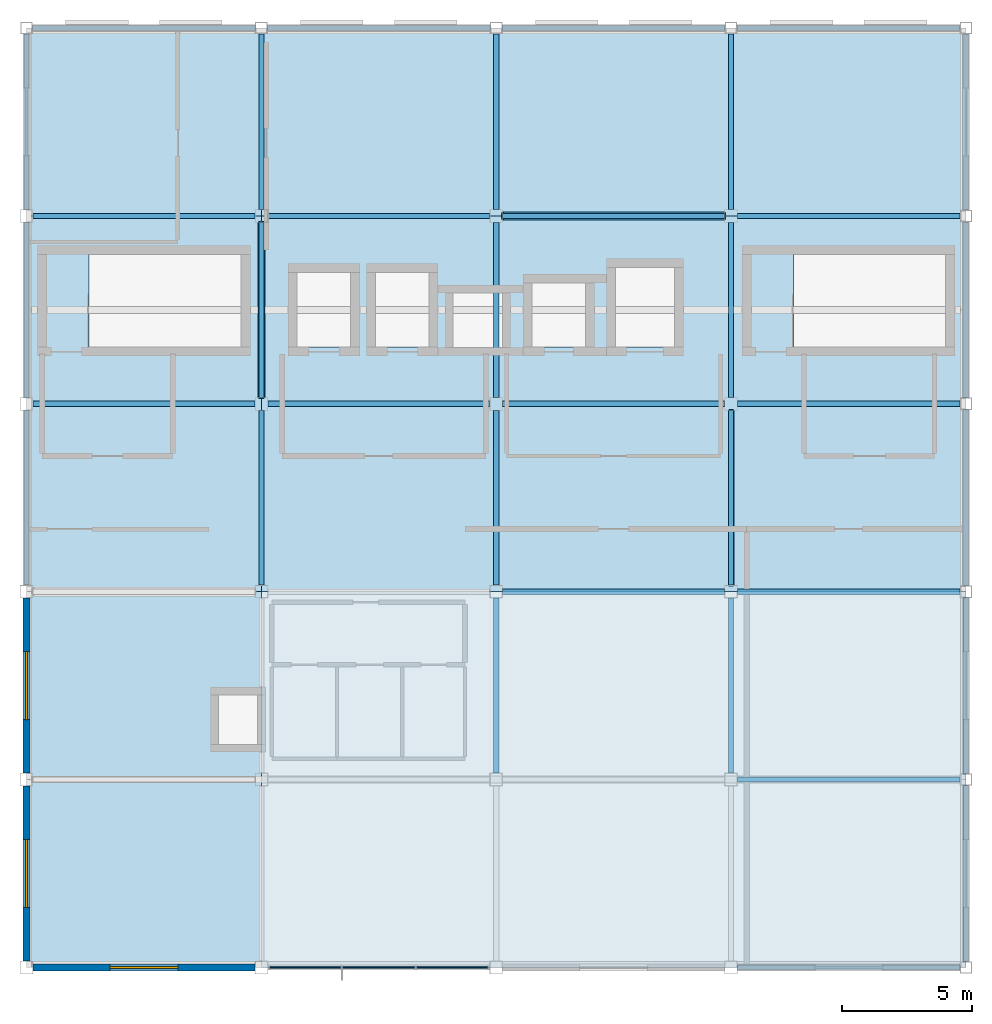
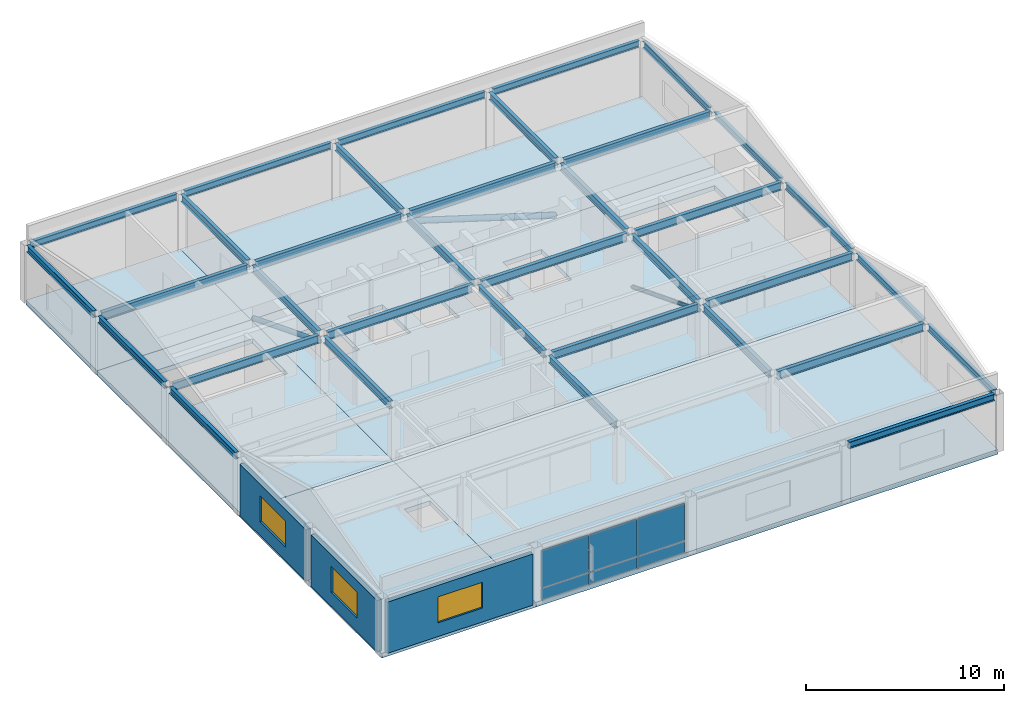
# One storey, part 5 of 9: 35 beams, 6 plates, 6 slabs, 3 members, 3 walls, 3 windows, 3 openings, 1 element without a shape of its own.
"""IFC4 building model written with IfcOpenShell, lengths in metres."""

from ifc_helpers import new_model, si_unit, direction, frame, frame_2d, origin, origin_2d, place, context, subcontext, project, spatial, polyline, rectangle, hollow_circle, i_section, outline, extrude, material, layer, layer_set, material_profile, profile_set, type_object, element, fill, aggregate, save


model = new_model("IFC4")

# Units and contexts
model_context = context("Model", 3, precision=1e-05, world=origin(), true_north=direction((0.0, 1.0)))
body_context = subcontext(model_context, "Body", "Model", "MODEL_VIEW")
ifc_project = project(units=[si_unit("LENGTHUNIT", "METRE"), si_unit("AREAUNIT", "SQUARE_METRE"), si_unit("VOLUMEUNIT", "CUBIC_METRE"), si_unit("PLANEANGLEUNIT", "RADIAN"), si_unit("MASSUNIT", "GRAM", prefix="KILO")], contexts=[model_context])

# Site, building, storey
site_placement = place(None, origin())
site = spatial("IfcSite", under=ifc_project, at=site_placement, CompositionType="ELEMENT")
building_placement = place(site_placement, origin())
building = spatial("IfcBuilding", under=site, at=building_placement, Name="Kazanami Central Library", CompositionType="ELEMENT")
storey_placement = place(building_placement, frame((0.0, 0.0, 31.39990234375)))
storey = spatial("IfcBuildingStorey", under=building, at=storey_placement, Name="L09", CompositionType="ELEMENT", Elevation=31.39990234375)

# Beams
ifc_material_1 = material(Name="Steel SN490B (325 MPa)", Category="steel")
ifc_material_profile_1 = material_profile(ifc_material_1, i_section(OverallWidth=0.199951171875, OverallDepth=0.5, WebThickness=0.010009765625, FlangeThickness=0.01611328125, at=origin_2d()), Name="H-500x200x10x16")
ifc_profile_set_1 = profile_set([ifc_material_profile_1], Name="Steel SN490B (325 MPa)")
beam_type_1 = type_object("IfcBeamType", Name="BM-G-X4", PredefinedType="BEAM", material=ifc_profile_set_1)
beam_1_placement = place(storey_placement, frame((153.248046875, 64.800048828125, 3.31005859375), z_axis=(1.0, 0.0, 0.0), x_axis=(0.0, 1.0, 0.0)))
element("IfcBeam", 1, at=beam_1_placement, inside=storey, type_object=beam_type_1, Name="Girder G-X4 L09 K/18-19", PredefinedType="BEAM", context=body_context, shape_type="SweptSolid", body=[
    extrude(i_section(OverallWidth=0.199951171875, OverallDepth=0.5, WebThickness=0.010009765625, FlangeThickness=0.01611328125, at=origin_2d()), origin(), (0.0, 0.0, 1.0), 8.529052734375),
])
beam_2_placement = place(storey_placement, frame((144.248046875, 72.0, 3.31005859375), z_axis=(1.0, 0.0, 0.0), x_axis=(0.0, 1.0, 0.0)))
element("IfcBeam", 2, at=beam_2_placement, inside=storey, type_object=beam_type_1, Name="Girder G-X4 L09 L/17-18", PredefinedType="BEAM", context=body_context, shape_type="SweptSolid", body=[
    extrude(i_section(OverallWidth=0.199951171875, OverallDepth=0.5, WebThickness=0.010009765625, FlangeThickness=0.01611328125, at=origin_2d()), origin(), (0.0, 0.0, 1.0), 8.50390625),
])
beam_3_placement = place(storey_placement, frame((153.248046875, 72.0, 3.31005859375), z_axis=(1.0, 0.0, 0.0), x_axis=(0.0, 1.0, 0.0)))
element("IfcBeam", 3, at=beam_3_placement, inside=storey, type_object=beam_type_1, Name="Girder G-X4 L09 L/18-19", PredefinedType="BEAM", context=body_context, shape_type="SweptSolid", body=[
    extrude(i_section(OverallWidth=0.199951171875, OverallDepth=0.5, WebThickness=0.010009765625, FlangeThickness=0.01611328125, at=origin_2d()), origin(), (0.0, 0.0, 1.0), 8.529052734375),
])
for number, where, z_axis, x_axis, name in (
    (4, (126.248046875, 79.199951171875, 3.31005859375), (1.0, 0.0, 0.0), (0.0, 1.0, 0.0), "Girder G-X4 L09 M/15-16"),
    (5, (135.248046875, 79.199951171875, 3.31005859375), (1.0, 0.0, 0.0), (0.0, 1.0, 0.0), "Girder G-X4 L09 M/16-17"),
    (6, (144.248046875, 79.199951171875, 3.31005859375), (1.0, 0.0, 0.0), (0.0, 1.0, 0.0), "Girder G-X4 L09 M/17-18"),
):
    element("IfcBeam", number, at=place(storey_placement, frame(where, z_axis=z_axis, x_axis=x_axis)), inside=storey, type_object=beam_type_1, Name=name, PredefinedType="BEAM", context=body_context, shape_type="SweptSolid", body=[
        extrude(i_section(OverallWidth=0.199951171875, OverallDepth=0.5, WebThickness=0.010009765625, FlangeThickness=0.01611328125, at=origin_2d()), origin(), (0.0, 0.0, 1.0), 8.50390625),
    ])
beam_4_placement = place(storey_placement, frame((153.248046875, 79.199951171875, 3.31005859375), z_axis=(1.0, 0.0, 0.0), x_axis=(0.0, 1.0, 0.0)))
element("IfcBeam", 7, at=beam_4_placement, inside=storey, type_object=beam_type_1, Name="Girder G-X4 L09 M/18-19", PredefinedType="BEAM", context=body_context, shape_type="SweptSolid", body=[
    extrude(i_section(OverallWidth=0.199951171875, OverallDepth=0.5, WebThickness=0.010009765625, FlangeThickness=0.01611328125, at=origin_2d()), origin(), (0.0, 0.0, 1.0), 8.529052734375),
])
for number, where, z_axis, x_axis, name in (
    (8, (126.248046875, 86.39990234375, 3.31005859375), (1.0, 0.0, 0.0), (0.0, 1.0, 0.0), "Girder G-X4 L09 N/15-16"),
    (9, (135.248046875, 86.39990234375, 3.31005859375), (1.0, 0.0, 0.0), (0.0, 1.0, 0.0), "Girder G-X4 L09 N/16-17"),
    (10, (144.248046875, 86.39990234375, 3.31005859375), (1.0, 0.0, 0.0), (0.0, 1.0, 0.0), "Girder G-X4 L09 N/17-18"),
):
    element("IfcBeam", number, at=place(storey_placement, frame(where, z_axis=z_axis, x_axis=x_axis)), inside=storey, type_object=beam_type_1, Name=name, PredefinedType="BEAM", context=body_context, shape_type="SweptSolid", body=[
        extrude(i_section(OverallWidth=0.199951171875, OverallDepth=0.5, WebThickness=0.010009765625, FlangeThickness=0.01611328125, at=origin_2d()), origin(), (0.0, 0.0, 1.0), 8.50390625),
    ])
beam_5_placement = place(storey_placement, frame((153.248046875, 86.39990234375, 3.31005859375), z_axis=(1.0, 0.0, 0.0), x_axis=(0.0, 1.0, 0.0)))
element("IfcBeam", 11, at=beam_5_placement, inside=storey, type_object=beam_type_1, Name="Girder G-X4 L09 N/18-19", PredefinedType="BEAM", context=body_context, shape_type="SweptSolid", body=[
    extrude(i_section(OverallWidth=0.199951171875, OverallDepth=0.5, WebThickness=0.010009765625, FlangeThickness=0.01611328125, at=origin_2d()), origin(), (0.0, 0.0, 1.0), 8.529052734375),
])
ifc_material_profile_2 = material_profile(ifc_material_1, i_section(OverallWidth=0.199951171875, OverallDepth=0.449951171875, WebThickness=0.009033203125, FlangeThickness=0.013916015625, at=origin_2d()), Name="H-450x200x9x14")
ifc_profile_set_2 = profile_set([ifc_material_profile_2], Name="Steel SN490B (325 MPa)")
beam_type_2 = type_object("IfcBeamType", Name="BM-G-Y3", PredefinedType="BEAM", material=ifc_profile_set_2)
beam_6_placement = place(storey_placement, frame((135.0, 72.248046875, 3.335205078125), z_axis=(0.0, 1.0, 0.0), x_axis=(-1.0, 0.0, 0.0)))
element("IfcBeam", 12, at=beam_6_placement, inside=storey, type_object=beam_type_2, Name="Girder G-Y3 L09 16/L-M", PredefinedType="BEAM", context=body_context, shape_type="SweptSolid", body=[
    extrude(i_section(OverallWidth=0.199951171875, OverallDepth=0.449951171875, WebThickness=0.009033203125, FlangeThickness=0.013916015625, at=origin_2d()), origin(), (0.0, 0.0, 1.0), 6.703857421875),
])
beam_7_placement = place(storey_placement, frame((135.0, 79.447998046875, 3.335205078125), z_axis=(0.0, 1.0, 0.0), x_axis=(-1.0, 0.0, 0.0)))
element("IfcBeam", 13, at=beam_7_placement, inside=storey, type_object=beam_type_2, Name="Girder G-Y3 L09 16/M-N", PredefinedType="BEAM", context=body_context, shape_type="SweptSolid", body=[
    extrude(i_section(OverallWidth=0.199951171875, OverallDepth=0.449951171875, WebThickness=0.009033203125, FlangeThickness=0.013916015625, at=origin_2d()), origin(), (0.0, 0.0, 1.0), 6.7041015625),
])
beam_8_placement = place(storey_placement, frame((135.0, 86.64794921875, 3.335205078125), z_axis=(0.0, 1.0, 0.0), x_axis=(-1.0, 0.0, 0.0)))
element("IfcBeam", 14, at=beam_8_placement, inside=storey, type_object=beam_type_2, Name="Girder G-Y3 L09 16/N-O", PredefinedType="BEAM", context=body_context, shape_type="SweptSolid", body=[
    extrude(i_section(OverallWidth=0.199951171875, OverallDepth=0.449951171875, WebThickness=0.009033203125, FlangeThickness=0.013916015625, at=origin_2d()), origin(), (0.0, 0.0, 1.0), 6.72900390625),
])
for number, where, z_axis, x_axis, name in (
    (15, (144.0, 65.048095703125, 3.335205078125), (0.0, 1.0, 0.0), (-1.0, 0.0, 0.0), "Girder G-Y3 L09 17/K-L"),
    (16, (144.0, 72.248046875, 3.335205078125), (0.0, 1.0, 0.0), (-1.0, 0.0, 0.0), "Girder G-Y3 L09 17/L-M"),
):
    element("IfcBeam", number, at=place(storey_placement, frame(where, z_axis=z_axis, x_axis=x_axis)), inside=storey, type_object=beam_type_2, Name=name, PredefinedType="BEAM", context=body_context, shape_type="SweptSolid", body=[
        extrude(i_section(OverallWidth=0.199951171875, OverallDepth=0.449951171875, WebThickness=0.009033203125, FlangeThickness=0.013916015625, at=origin_2d()), origin(), (0.0, 0.0, 1.0), 6.703857421875),
    ])
beam_9_placement = place(storey_placement, frame((144.0, 79.447998046875, 3.335205078125), z_axis=(0.0, 1.0, 0.0), x_axis=(-1.0, 0.0, 0.0)))
element("IfcBeam", 17, at=beam_9_placement, inside=storey, type_object=beam_type_2, Name="Girder G-Y3 L09 17/M-N", PredefinedType="BEAM", context=body_context, shape_type="SweptSolid", body=[
    extrude(i_section(OverallWidth=0.199951171875, OverallDepth=0.449951171875, WebThickness=0.009033203125, FlangeThickness=0.013916015625, at=origin_2d()), origin(), (0.0, 0.0, 1.0), 6.7041015625),
])
beam_10_placement = place(storey_placement, frame((144.0, 86.64794921875, 3.335205078125), z_axis=(0.0, 1.0, 0.0), x_axis=(-1.0, 0.0, 0.0)))
element("IfcBeam", 18, at=beam_10_placement, inside=storey, type_object=beam_type_2, Name="Girder G-Y3 L09 17/N-O", PredefinedType="BEAM", context=body_context, shape_type="SweptSolid", body=[
    extrude(i_section(OverallWidth=0.199951171875, OverallDepth=0.449951171875, WebThickness=0.009033203125, FlangeThickness=0.013916015625, at=origin_2d()), origin(), (0.0, 0.0, 1.0), 6.72900390625),
])
for number, where, z_axis, x_axis, name in (
    (19, (153.0, 65.048095703125, 3.335205078125), (0.0, 1.0, 0.0), (-1.0, 0.0, 0.0), "Girder G-Y3 L09 18/K-L"),
    (20, (153.0, 72.248046875, 3.335205078125), (0.0, 1.0, 0.0), (-1.0, 0.0, 0.0), "Girder G-Y3 L09 18/L-M"),
):
    element("IfcBeam", number, at=place(storey_placement, frame(where, z_axis=z_axis, x_axis=x_axis)), inside=storey, type_object=beam_type_2, Name=name, PredefinedType="BEAM", context=body_context, shape_type="SweptSolid", body=[
        extrude(i_section(OverallWidth=0.199951171875, OverallDepth=0.449951171875, WebThickness=0.009033203125, FlangeThickness=0.013916015625, at=origin_2d()), origin(), (0.0, 0.0, 1.0), 6.703857421875),
    ])
beam_11_placement = place(storey_placement, frame((153.0, 79.447998046875, 3.335205078125), z_axis=(0.0, 1.0, 0.0), x_axis=(-1.0, 0.0, 0.0)))
element("IfcBeam", 21, at=beam_11_placement, inside=storey, type_object=beam_type_2, Name="Girder G-Y3 L09 18/M-N", PredefinedType="BEAM", context=body_context, shape_type="SweptSolid", body=[
    extrude(i_section(OverallWidth=0.199951171875, OverallDepth=0.449951171875, WebThickness=0.009033203125, FlangeThickness=0.013916015625, at=origin_2d()), origin(), (0.0, 0.0, 1.0), 6.7041015625),
])
beam_12_placement = place(storey_placement, frame((153.0, 86.64794921875, 3.335205078125), z_axis=(0.0, 1.0, 0.0), x_axis=(-1.0, 0.0, 0.0)))
element("IfcBeam", 22, at=beam_12_placement, inside=storey, type_object=beam_type_2, Name="Girder G-Y3 L09 18/N-O", PredefinedType="BEAM", context=body_context, shape_type="SweptSolid", body=[
    extrude(i_section(OverallWidth=0.199951171875, OverallDepth=0.449951171875, WebThickness=0.009033203125, FlangeThickness=0.013916015625, at=origin_2d()), origin(), (0.0, 0.0, 1.0), 6.72900390625),
])
ifc_material_profile_3 = material_profile(ifc_material_1, i_section(OverallWidth=0.199951171875, OverallDepth=0.39990234375, WebThickness=0.008056640625, FlangeThickness=0.012939453125, at=origin_2d()), Name="H-400x200x8x13")
ifc_profile_set_3 = profile_set([ifc_material_profile_3], Name="Steel SN490B (325 MPa)")
beam_type_3 = type_object("IfcBeamType", Name="BM-SP-3", PredefinedType="SPANDREL", material=ifc_profile_set_3)
beam_13_placement = place(storey_placement, frame((153.248046875, 57.60009765625, 3.360107421875), z_axis=(1.0, 0.0, 0.0), x_axis=(0.0, 1.0, 0.0)))
element("IfcBeam", 23, at=beam_13_placement, inside=storey, type_object=beam_type_3, Name="Girder SP-3 L09 J/18-19", PredefinedType="SPANDREL", context=body_context, shape_type="SweptSolid", body=[
    extrude(i_section(OverallWidth=0.199951171875, OverallDepth=0.39990234375, WebThickness=0.008056640625, FlangeThickness=0.012939453125, at=origin_2d()), origin(), (0.0, 0.0, 1.0), 8.529052734375),
])
for number, where, z_axis, x_axis, name in (
    (24, (126.222900390625, 93.60009765625, 3.360107421875), (1.0, 0.0, 0.0), (0.0, 1.0, 0.0), "Girder SP-3 L09 O/15-16"),
    (25, (135.222900390625, 93.60009765625, 3.360107421875), (1.0, 0.0, 0.0), (0.0, 1.0, 0.0), "Girder SP-3 L09 O/16-17"),
    (26, (144.222900390625, 93.60009765625, 3.360107421875), (1.0, 0.0, 0.0), (0.0, 1.0, 0.0), "Girder SP-3 L09 O/17-18"),
    (27, (153.222900390625, 93.60009765625, 3.360107421875), (1.0, 0.0, 0.0), (0.0, 1.0, 0.0), "Girder SP-3 L09 O/18-19"),
):
    element("IfcBeam", number, at=place(storey_placement, frame(where, z_axis=z_axis, x_axis=x_axis)), inside=storey, type_object=beam_type_3, Name=name, PredefinedType="SPANDREL", context=body_context, shape_type="SweptSolid", body=[
        extrude(i_section(OverallWidth=0.199951171875, OverallDepth=0.39990234375, WebThickness=0.008056640625, FlangeThickness=0.012939453125, at=origin_2d()), origin(), (0.0, 0.0, 1.0), 8.55419921875),
    ])
beam_14_placement = place(storey_placement, frame((126.0, 72.248046875, 3.360107421875), z_axis=(0.0, 1.0, 0.0), x_axis=(-1.0, 0.0, 0.0)))
element("IfcBeam", 28, at=beam_14_placement, inside=storey, type_object=beam_type_3, Name="Girder SP-3 L09 15/L-M", PredefinedType="SPANDREL", context=body_context, shape_type="SweptSolid", body=[
    extrude(i_section(OverallWidth=0.199951171875, OverallDepth=0.39990234375, WebThickness=0.008056640625, FlangeThickness=0.012939453125, at=origin_2d()), origin(), (0.0, 0.0, 1.0), 6.703857421875),
])
beam_15_placement = place(storey_placement, frame((126.0, 79.447998046875, 3.360107421875), z_axis=(0.0, 1.0, 0.0), x_axis=(-1.0, 0.0, 0.0)))
element("IfcBeam", 29, at=beam_15_placement, inside=storey, type_object=beam_type_3, Name="Girder SP-3 L09 15/M-N", PredefinedType="SPANDREL", context=body_context, shape_type="SweptSolid", body=[
    extrude(i_section(OverallWidth=0.199951171875, OverallDepth=0.39990234375, WebThickness=0.008056640625, FlangeThickness=0.012939453125, at=origin_2d()), origin(), (0.0, 0.0, 1.0), 6.7041015625),
])
beam_16_placement = place(storey_placement, frame((126.0, 86.64794921875, 3.360107421875), z_axis=(0.0, 1.0, 0.0), x_axis=(-1.0, 0.0, 0.0)))
element("IfcBeam", 30, at=beam_16_placement, inside=storey, type_object=beam_type_3, Name="Girder SP-3 L09 15/N-O", PredefinedType="SPANDREL", context=body_context, shape_type="SweptSolid", body=[
    extrude(i_section(OverallWidth=0.199951171875, OverallDepth=0.39990234375, WebThickness=0.008056640625, FlangeThickness=0.012939453125, at=origin_2d()), origin(), (0.0, 0.0, 1.0), 6.72900390625),
])
beam_17_placement = place(storey_placement, frame((162.0, 57.822998046875, 3.360107421875), z_axis=(0.0, 1.0, 0.0), x_axis=(-1.0, 0.0, 0.0)))
element("IfcBeam", 31, at=beam_17_placement, inside=storey, type_object=beam_type_3, Name="Girder SP-3 L09 19/J-K", PredefinedType="SPANDREL", context=body_context, shape_type="SweptSolid", body=[
    extrude(i_section(OverallWidth=0.199951171875, OverallDepth=0.39990234375, WebThickness=0.008056640625, FlangeThickness=0.012939453125, at=origin_2d()), origin(), (0.0, 0.0, 1.0), 6.75390625),
])
for number, where, z_axis, x_axis, name in (
    (32, (162.0, 65.02294921875, 3.360107421875), (0.0, 1.0, 0.0), (-1.0, 0.0, 0.0), "Girder SP-3 L09 19/K-L"),
    (33, (162.0, 72.222900390625, 3.360107421875), (0.0, 1.0, 0.0), (-1.0, 0.0, 0.0), "Girder SP-3 L09 19/L-M"),
):
    element("IfcBeam", number, at=place(storey_placement, frame(where, z_axis=z_axis, x_axis=x_axis)), inside=storey, type_object=beam_type_3, Name=name, PredefinedType="SPANDREL", context=body_context, shape_type="SweptSolid", body=[
        extrude(i_section(OverallWidth=0.199951171875, OverallDepth=0.39990234375, WebThickness=0.008056640625, FlangeThickness=0.012939453125, at=origin_2d()), origin(), (0.0, 0.0, 1.0), 6.754150390625),
    ])
for number, where, z_axis, x_axis, name in (
    (34, (162.0, 79.423095703125, 3.360107421875), (0.0, 1.0, 0.0), (-1.0, 0.0, 0.0), "Girder SP-3 L09 19/M-N"),
    (35, (162.0, 86.623046875, 3.360107421875), (0.0, 1.0, 0.0), (-1.0, 0.0, 0.0), "Girder SP-3 L09 19/N-O"),
):
    element("IfcBeam", number, at=place(storey_placement, frame(where, z_axis=z_axis, x_axis=x_axis)), inside=storey, type_object=beam_type_3, Name=name, PredefinedType="SPANDREL", context=body_context, shape_type="SweptSolid", body=[
        extrude(i_section(OverallWidth=0.199951171875, OverallDepth=0.39990234375, WebThickness=0.008056640625, FlangeThickness=0.012939453125, at=origin_2d()), origin(), (0.0, 0.0, 1.0), 6.75390625),
    ])

# Members
ifc_material_2 = material(Name="Steel STK490 (315 MPa)", Category="steel")
ifc_material_profile_4 = material_profile(ifc_material_2, hollow_circle(Radius=0.1591796875, WallThickness=0.01025390625, at=origin_2d()), Name="CHS-318.5x10.3")
ifc_profile_set_4 = profile_set([ifc_material_profile_4], Name="Steel STK490 (315 MPa)")
member_type_1 = type_object("IfcMemberType", Name="MEM-BR-02", PredefinedType="BRACE", material=ifc_profile_set_4)
member_1_placement = place(storey_placement, frame((152.75, 86.39990234375, 0.25), z_axis=(-0.955312090859, 0.0, 0.295599068096), x_axis=(0.0, -1.0, 0.0)))
element("IfcMember", 36, at=member_1_placement, inside=storey, type_object=member_type_1, Name="Concentric Steel Brace BR-02 L09 BF-V2B", PredefinedType="BRACE", context=body_context, shape_type="SweptSolid", body=[
    extrude(hollow_circle(Radius=0.1591796875, WallThickness=0.01025390625, at=origin_2d()), origin(), (0.0, 0.0, 1.0), 8.897705078125),
])
ifc_material_profile_5 = material_profile(ifc_material_2, hollow_circle(Radius=0.1337890625, WallThickness=0.00927734375, at=origin_2d()), Name="CHS-267.4x9.3")
ifc_profile_set_5 = profile_set([ifc_material_profile_5], Name="Steel STK490 (315 MPa)")
member_type_2 = type_object("IfcMemberType", Name="MEM-BR-03", PredefinedType="BRACE", material=ifc_profile_set_5)
member_2_placement = place(storey_placement, frame((135.0, 86.14990234375, 0.25), z_axis=(0.0, -0.930845874107, 0.365412039564), x_axis=(1.0, 0.0, 0.0)))
element("IfcMember", 37, at=member_2_placement, inside=storey, type_object=member_type_2, Name="Concentric Steel Brace BR-03 L09 BF-V2C", PredefinedType="BRACE", context=body_context, shape_type="SweptSolid", body=[
    extrude(hollow_circle(Radius=0.1337890625, WallThickness=0.00927734375, at=origin_2d()), origin(), (0.0, 0.0, 1.0), 7.19775390625),
])
ifc_material_profile_6 = material_profile(ifc_material_2, hollow_circle(Radius=0.108154296875, WallThickness=0.00830078125, at=origin_2d()), Name="CHS-216.3x8.2")
ifc_profile_set_6 = profile_set([ifc_material_profile_6], Name="Steel STK490 (315 MPa)")
member_type_3 = type_object("IfcMemberType", Name="MEM-BR-04", PredefinedType="BRACE", material=ifc_profile_set_6)
member_3_placement = place(storey_placement, frame((153.0, 78.949951171875, 0.25), z_axis=(0.0, -0.930845874107, 0.365412039564), x_axis=(1.0, 0.0, 0.0)))
element("IfcMember", 38, at=member_3_placement, inside=storey, type_object=member_type_3, Name="Concentric Steel Brace BR-04 L09 BF-V2D", PredefinedType="BRACE", context=body_context, shape_type="SweptSolid", body=[
    extrude(hollow_circle(Radius=0.108154296875, WallThickness=0.00830078125, at=origin_2d()), origin(), (0.0, 0.0, 1.0), 7.19775390625),
])

# Curtain wall, plates
ifc_material_3 = material(Name="Acid-Etched Low-E Laminated Glass", Category="glass")
curtain_wall_type = type_object("IfcCurtainWallType", Name="CW-8500x3160-M275", PredefinedType="USERDEFINED", material=ifc_material_3)
curtain_wall_placement = place(storey_placement, origin())
curtain_wall = element("IfcCurtainWall", 39, at=curtain_wall_placement, inside=storey, type_object=curtain_wall_type, Name="Unitised Curtain Wall CW-62 L09 S-J-15", ObjectType="UNITISED CURTAIN WALL", PredefinedType="USERDEFINED")
ifc_layer_1 = layer(ifc_material_3, 0.0439453125, Name="Acid-Etched Low-E Laminated Glass")
ifc_layer_set_1 = layer_set([ifc_layer_1], Name="Acid-Etched Low-E Laminated Glass")
plate_type_1 = type_object("IfcPlateType", Name="PLT-CW-P2", PredefinedType="CURTAIN_PANEL", material=ifc_layer_set_1)
plate_1_placement = place(storey_placement, frame((136.682861328125, 57.60009765625, 0.8125), z_axis=(0.0, 0.0, 1.0), x_axis=(1.0, 0.0, 0.0)))
plate_1 = element("IfcPlate", 40, at=plate_1_placement, type_object=plate_type_1, Name="CW-62 panel 1.2", PredefinedType="CURTAIN_PANEL", context=body_context, shape_type="SweptSolid", body=[
    extrude(rectangle(XDim=2.73583984375, YDim=0.0439453125, at=origin_2d()), origin(), (0.0, 0.0, 1.0), 2.282470703125),
])
plate_2_placement = place(storey_placement, frame((139.5, 57.60009765625, 0.8125), z_axis=(0.0, 0.0, 1.0), x_axis=(1.0, 0.0, 0.0)))
plate_2 = element("IfcPlate", 41, at=plate_2_placement, type_object=plate_type_1, Name="CW-62 panel 2.2", PredefinedType="CURTAIN_PANEL", context=body_context, shape_type="SweptSolid", body=[
    extrude(rectangle(XDim=2.768310546875, YDim=0.0439453125, at=origin_2d()), origin(), (0.0, 0.0, 1.0), 2.282470703125),
])
plate_3_placement = place(storey_placement, frame((142.317138671875, 57.60009765625, 0.8125), z_axis=(0.0, 0.0, 1.0), x_axis=(1.0, 0.0, 0.0)))
plate_3 = element("IfcPlate", 42, at=plate_3_placement, type_object=plate_type_1, Name="CW-62 panel 3.2", PredefinedType="CURTAIN_PANEL", context=body_context, shape_type="SweptSolid", body=[
    extrude(rectangle(XDim=2.73583984375, YDim=0.0439453125, at=origin_2d()), origin(), (0.0, 0.0, 1.0), 2.282470703125),
])
ifc_material_4 = material(Name="Anodised Aluminium A5052-H32", Category="aluminium")
ifc_layer_2 = layer(ifc_material_4, 0.052001953125, Name="Anodised Aluminium A5052-H32")
ifc_layer_set_2 = layer_set([ifc_layer_2], Name="Anodised Aluminium A5052-H32")
plate_type_2 = type_object("IfcPlateType", Name="PLT-CW-SP2", PredefinedType="CURTAIN_PANEL", material=ifc_layer_set_2)
plate_4_placement = place(storey_placement, frame((136.682861328125, 57.60009765625, 0.06494140625), z_axis=(0.0, 0.0, 1.0), x_axis=(1.0, 0.0, 0.0)))
plate_4 = element("IfcPlate", 43, at=plate_4_placement, type_object=plate_type_2, Name="CW-62 panel 1.1", PredefinedType="CURTAIN_PANEL", context=body_context, shape_type="SweptSolid", body=[
    extrude(rectangle(XDim=2.73583984375, YDim=0.052001953125, at=origin_2d()), origin(), (0.0, 0.0, 1.0), 0.6826171875),
])
plate_5_placement = place(storey_placement, frame((139.5, 57.60009765625, 0.06494140625), z_axis=(0.0, 0.0, 1.0), x_axis=(1.0, 0.0, 0.0)))
plate_5 = element("IfcPlate", 44, at=plate_5_placement, type_object=plate_type_2, Name="CW-62 panel 2.1", PredefinedType="CURTAIN_PANEL", context=body_context, shape_type="SweptSolid", body=[
    extrude(rectangle(XDim=2.768310546875, YDim=0.052001953125, at=origin_2d()), origin(), (0.0, 0.0, 1.0), 0.6826171875),
])
plate_6_placement = place(storey_placement, frame((142.317138671875, 57.60009765625, 0.06494140625), z_axis=(0.0, 0.0, 1.0), x_axis=(1.0, 0.0, 0.0)))
plate_6 = element("IfcPlate", 45, at=plate_6_placement, type_object=plate_type_2, Name="CW-62 panel 3.1", PredefinedType="CURTAIN_PANEL", context=body_context, shape_type="SweptSolid", body=[
    extrude(rectangle(XDim=2.73583984375, YDim=0.052001953125, at=origin_2d()), origin(), (0.0, 0.0, 1.0), 0.6826171875),
])
aggregate(curtain_wall, [plate_4, plate_1, plate_5, plate_2, plate_6, plate_3])

# Slabs
ifc_material_5 = material(Name="Concrete Fc36 (36 MPa)", Category="concrete")
ifc_layer_3 = layer(ifc_material_5, 0.284912109375, Name="Concrete Fc36 (36 MPa)")
ifc_layer_set_3 = layer_set([ifc_layer_3], Name="Concrete Fc36 (36 MPa)")
slab_type = type_object("IfcSlabType", Name="SLB-FLR-285", PredefinedType="FLOOR", material=ifc_layer_set_3)
slab_1_placement = place(storey_placement, frame((0.0, 0.0, -0.284912109375)))
element("IfcSlab", 46, at=slab_1_placement, inside=storey, type_object=slab_type, Name="Composite Floor Slab L09 V2-CROWN Zone 1", PredefinedType="FLOOR", context=body_context, shape_type="SweptSolid", body=[
    extrude(outline(polyline([(126.0, 57.60009765625), (135.0, 57.60009765625), (135.0, 72.0), (126.0, 72.0), (126.0, 57.60009765625)]), holes=[polyline([(133.35009765625, 66.14990234375), (134.85009765625, 66.14990234375), (134.85009765625, 68.050048828125), (133.35009765625, 68.050048828125), (133.35009765625, 66.14990234375)])]), origin(), (0.0, 0.0, 1.0), 0.284912109375),
])
slab_2_placement = place(storey_placement, frame((0.0, 0.0, -0.284912109375)))
element("IfcSlab", 47, at=slab_2_placement, inside=storey, type_object=slab_type, Name="Composite Floor Slab L09 V2-CROWN Zone 2", PredefinedType="FLOOR", context=body_context, shape_type="SweptSolid", body=[
    extrude(outline(polyline([(126.0, 72.0), (135.0, 72.0), (135.0, 86.39990234375), (126.0, 86.39990234375), (126.0, 72.0)]), holes=[polyline([(128.39990234375, 81.375), (134.22509765625, 81.375), (134.22509765625, 84.925048828125), (128.39990234375, 84.925048828125), (128.39990234375, 81.375)])]), origin(), (0.0, 0.0, 1.0), 0.284912109375),
])
slab_3_placement = place(storey_placement, frame((0.0, 0.0, -0.284912109375)))
element("IfcSlab", 48, at=slab_3_placement, inside=storey, type_object=slab_type, Name="Composite Floor Slab L09 V2-CROWN Zone 3", PredefinedType="FLOOR", context=body_context, shape_type="SweptSolid", body=[
    extrude(outline(polyline([(126.0, 86.39990234375), (135.0, 86.39990234375), (135.0, 93.60009765625), (126.0, 93.60009765625), (126.0, 86.39990234375)])), origin(), (0.0, 0.0, 1.0), 0.284912109375),
])
slab_4_placement = place(storey_placement, frame((0.0, 0.0, -0.284912109375)))
element("IfcSlab", 49, at=slab_4_placement, inside=storey, type_object=slab_type, Name="Composite Floor Slab L09 V2-CROWN Zone 4", PredefinedType="FLOOR", context=body_context, shape_type="SweptSolid", body=[
    extrude(outline(polyline([(135.0, 57.60009765625), (162.0, 57.60009765625), (162.0, 72.0), (135.0, 72.0), (135.0, 57.60009765625)])), origin(), (0.0, 0.0, 1.0), 0.284912109375),
])
slab_5_placement = place(storey_placement, frame((0.0, 0.0, -0.284912109375)))
element("IfcSlab", 50, at=slab_5_placement, inside=storey, type_object=slab_type, Name="Composite Floor Slab L09 V2-CROWN Zone 5", PredefinedType="FLOOR", context=body_context, shape_type="SweptSolid", body=[
    extrude(outline(polyline([(135.0, 72.0), (162.0, 72.0), (162.0, 86.39990234375), (135.0, 86.39990234375), (135.0, 72.0)]), holes=[polyline([(155.39990234375, 81.375), (161.22509765625, 81.375), (161.22509765625, 84.925048828125), (155.39990234375, 84.925048828125), (155.39990234375, 81.375)]), polyline([(136.375, 81.375), (138.425048828125, 81.375), (138.425048828125, 84.22509765625), (136.375, 84.22509765625), (136.375, 81.375)]), polyline([(139.375, 81.375), (141.425048828125, 81.375), (141.425048828125, 84.22509765625), (139.375, 84.22509765625), (139.375, 81.375)]), polyline([(145.375, 81.375), (147.425048828125, 81.375), (147.425048828125, 83.824951171875), (145.375, 83.824951171875), (145.375, 81.375)]), polyline([(148.574951171875, 81.375), (150.824951171875, 81.375), (150.824951171875, 84.425048828125), (148.574951171875, 84.425048828125), (148.574951171875, 81.375)]), polyline([(142.35009765625, 81.35009765625), (144.25, 81.35009765625), (144.25, 83.449951171875), (142.35009765625, 83.449951171875), (142.35009765625, 81.35009765625)])]), origin(), (0.0, 0.0, 1.0), 0.284912109375),
])
slab_6_placement = place(storey_placement, frame((0.0, 0.0, -0.284912109375)))
element("IfcSlab", 51, at=slab_6_placement, inside=storey, type_object=slab_type, Name="Composite Floor Slab L09 V2-CROWN Zone 6", PredefinedType="FLOOR", context=body_context, shape_type="SweptSolid", body=[
    extrude(outline(polyline([(135.0, 86.39990234375), (162.0, 86.39990234375), (162.0, 93.60009765625), (135.0, 93.60009765625), (135.0, 86.39990234375)])), origin(), (0.0, 0.0, 1.0), 0.284912109375),
])

# Wall, opening, window
ifc_layer_4 = layer(ifc_material_5, 0.179931640625, Name="Concrete Fc36 (36 MPa)")
ifc_material_6 = material(Name="Extruded Polystyrene XPS", Category="earth")
ifc_layer_5 = layer(ifc_material_6, 0.050048828125, Name="Extruded Polystyrene XPS")
ifc_material_7 = material(Name="Honed Inada Granite", Category="masonry")
ifc_layer_6 = layer(ifc_material_7, 0.030029296875, Name="Honed Inada Granite")
ifc_layer_set_4 = layer_set([ifc_layer_4, ifc_layer_5, ifc_layer_6], Name="Concrete Fc36 (36 MPa)")
wall_type = type_object("IfcWallType", Name="WAL-EW-260", PredefinedType="STANDARD", material=ifc_layer_set_4)
wall_1_placement = place(storey_placement, frame((126.25, 57.60009765625, 0.0), z_axis=(0.0, 0.0, 1.0), x_axis=(1.0, 0.0, 0.0)))
wall_1 = element("IfcWall", 52, at=wall_1_placement, inside=storey, type_object=wall_type, Name="Exterior Facade Wall EW-260 L09 S-J-14", PredefinedType="STANDARD", context=body_context, shape_type="SweptSolid", body=[
    extrude(rectangle(XDim=8.5, YDim=0.260009765625, at=frame_2d((4.25, 0.0))), origin(), (0.0, 0.0, 1.0), 3.16015625),
])
opening_1_placement = place(wall_1_placement, frame((2.949951171875, 0.0, 0.85009765625)))
opening_1 = element("IfcOpeningElement", 53, at=opening_1_placement, cuts=wall_1, Name="Opening WN-13", PredefinedType="OPENING", context=body_context, shape_type="SweptSolid", body=[
    extrude(rectangle(XDim=2.60009765625, YDim=1.60009765625, at=frame_2d((1.300048828125, 0.800048828125))), frame((0.0, 0.14208984375, 0.0), z_axis=(0.0, -1.0, 0.0), x_axis=(1.0, 0.0, 0.0)), (0.0, 0.0, 1.0), 0.283935546875),
])
ifc_material_8 = material(Name="Low-E Insulated Triple Glass", Category="glass")
window_type = type_object("IfcWindowType", Name="WIN-WN-13", PartitioningType="DOUBLE_PANEL_VERTICAL", PredefinedType="WINDOW", material=ifc_material_8)
window_1_placement = place(opening_1_placement, origin())
window_1 = element("IfcWindow", 54, at=window_1_placement, inside=storey, type_object=window_type, Name="Facade Window WN-13 L09 S-J-14", OverallHeight=1.60009765625, OverallWidth=2.60009765625, PartitioningType="DOUBLE_PANEL_VERTICAL", PredefinedType="WINDOW", context=body_context, shape_type="SweptSolid", body=[
    extrude(rectangle(XDim=2.60009765625, YDim=1.60009765625, at=frame_2d((1.300048828125, 0.800048828125))), frame((0.0, 0.030029296875, 0.0), z_axis=(0.0, -1.0, 0.0), x_axis=(1.0, 0.0, 0.0)), (0.0, 0.0, 1.0), 0.06005859375),
])
fill(opening_1, window_1)

wall_2_placement = place(storey_placement, frame((126.0, 57.85009765625, 0.0), z_axis=(0.0, 0.0, 1.0), x_axis=(0.0, 1.0, 0.0)))
wall_2 = element("IfcWall", 55, at=wall_2_placement, inside=storey, type_object=wall_type, Name="Exterior Facade Wall EW-260 L09 W-15-08", PredefinedType="STANDARD", context=body_context, shape_type="SweptSolid", body=[
    extrude(rectangle(XDim=6.699951171875, YDim=0.260009765625, at=frame_2d((3.35009765625, 0.0))), origin(), (0.0, 0.0, 1.0), 3.16015625),
])
opening_2_placement = place(wall_2_placement, frame((2.050048828125, 0.0, 0.85009765625)))
opening_2 = element("IfcOpeningElement", 56, at=opening_2_placement, cuts=wall_2, Name="Opening WN-13", PredefinedType="OPENING", context=body_context, shape_type="SweptSolid", body=[
    extrude(rectangle(XDim=2.60009765625, YDim=1.60009765625, at=frame_2d((1.300048828125, 0.800048828125))), frame((0.0, 0.14208984375, 0.0), z_axis=(0.0, -1.0, 0.0), x_axis=(1.0, 0.0, 0.0)), (0.0, 0.0, 1.0), 0.283935546875),
])
window_2_placement = place(opening_2_placement, origin())
window_2 = element("IfcWindow", 57, at=window_2_placement, inside=storey, type_object=window_type, Name="Facade Window WN-13 L09 W-15-08", OverallHeight=1.60009765625, OverallWidth=2.60009765625, PartitioningType="DOUBLE_PANEL_VERTICAL", PredefinedType="WINDOW", context=body_context, shape_type="SweptSolid", body=[
    extrude(rectangle(XDim=2.60009765625, YDim=1.60009765625, at=frame_2d((1.300048828125, 0.800048828125))), frame((0.0, 0.030029296875, 0.0), z_axis=(0.0, -1.0, 0.0), x_axis=(1.0, 0.0, 0.0)), (0.0, 0.0, 1.0), 0.06005859375),
])
fill(opening_2, window_2)

wall_3_placement = place(storey_placement, frame((126.0, 65.050048828125, 0.0), z_axis=(0.0, 0.0, 1.0), x_axis=(0.0, 1.0, 0.0)))
wall_3 = element("IfcWall", 58, at=wall_3_placement, inside=storey, type_object=wall_type, Name="Exterior Facade Wall EW-260 L09 W-15-09", PredefinedType="STANDARD", context=body_context, shape_type="SweptSolid", body=[
    extrude(rectangle(XDim=6.699951171875, YDim=0.260009765625, at=frame_2d((3.35009765625, 0.0))), origin(), (0.0, 0.0, 1.0), 3.16015625),
])
opening_3_placement = place(wall_3_placement, frame((2.050048828125, 0.0, 0.85009765625)))
opening_3 = element("IfcOpeningElement", 59, at=opening_3_placement, cuts=wall_3, Name="Opening WN-13", PredefinedType="OPENING", context=body_context, shape_type="SweptSolid", body=[
    extrude(rectangle(XDim=2.60009765625, YDim=1.60009765625, at=frame_2d((1.300048828125, 0.800048828125))), frame((0.0, 0.14208984375, 0.0), z_axis=(0.0, -1.0, 0.0), x_axis=(1.0, 0.0, 0.0)), (0.0, 0.0, 1.0), 0.283935546875),
])
window_3_placement = place(opening_3_placement, origin())
window_3 = element("IfcWindow", 60, at=window_3_placement, inside=storey, type_object=window_type, Name="Facade Window WN-13 L09 W-15-09", OverallHeight=1.60009765625, OverallWidth=2.60009765625, PartitioningType="DOUBLE_PANEL_VERTICAL", PredefinedType="WINDOW", context=body_context, shape_type="SweptSolid", body=[
    extrude(rectangle(XDim=2.60009765625, YDim=1.60009765625, at=frame_2d((1.300048828125, 0.800048828125))), frame((0.0, 0.030029296875, 0.0), z_axis=(0.0, -1.0, 0.0), x_axis=(1.0, 0.0, 0.0)), (0.0, 0.0, 1.0), 0.06005859375),
])
fill(opening_3, window_3)

save(model, "model.ifc")
